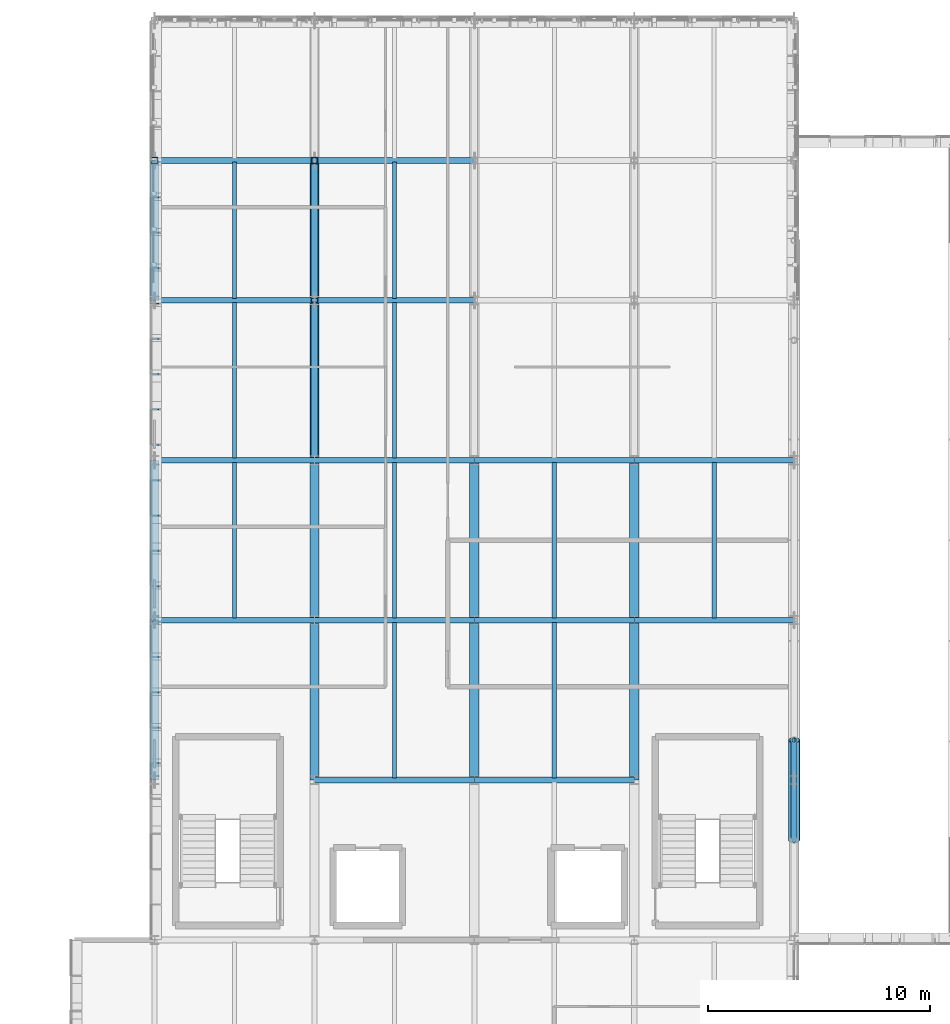
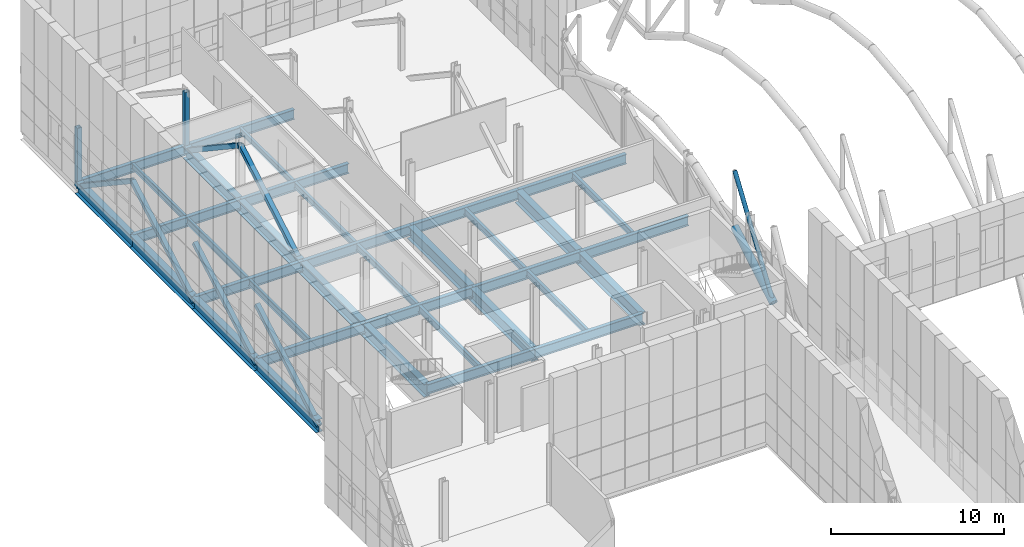
# One storey, part 29 of 144: 36 beams, 10 members.
"""IFC4 building model written with IfcOpenShell, lengths in metres."""

from ifc_helpers import new_model, si_unit, direction, frame, origin, origin_2d, place, context, subcontext, project, spatial, hollow_rectangle, hollow_circle, i_section, extrude, material, material_profile, profile_set, type_object, element, save


model = new_model("IFC4")

# Units and contexts
model_context = context("Model", 3, precision=1e-05, world=origin(), true_north=direction((0.0, 1.0)))
body_context = subcontext(model_context, "Body", "Model", "MODEL_VIEW")
ifc_project = project(units=[si_unit("LENGTHUNIT", "METRE"), si_unit("AREAUNIT", "SQUARE_METRE"), si_unit("VOLUMEUNIT", "CUBIC_METRE"), si_unit("PLANEANGLEUNIT", "RADIAN"), si_unit("MASSUNIT", "GRAM", prefix="KILO")], contexts=[model_context])

# Site, building, storey
site_placement = place(None, origin())
site = spatial("IfcSite", under=ifc_project, at=site_placement, CompositionType="ELEMENT")
building_placement = place(site_placement, origin())
building = spatial("IfcBuilding", under=site, at=building_placement, Name="Yarey Park Central Fire Station", CompositionType="ELEMENT")
storey_placement = place(building_placement, frame((0.0, 0.0, 10.199951171875)))
storey = spatial("IfcBuildingStorey", under=building, at=storey_placement, Name="L03", CompositionType="ELEMENT", Elevation=10.199951171875)

# Beams
ifc_material_1 = material(Name="Steel ASTM A992 Gr. 50", Category="steel")
ifc_material_profile_1 = material_profile(ifc_material_1, i_section(OverallWidth=0.256103515625, OverallDepth=0.693115234375, WebThickness=0.014404296875, FlangeThickness=0.023681640625, at=origin_2d()), Name="W690x170")
ifc_profile_set_1 = profile_set([ifc_material_profile_1], Name="Steel ASTM A992 Gr. 50")
beam_type_1 = type_object("IfcBeamType", Name="STR_BM_W690", PredefinedType="BEAM", material=ifc_profile_set_1)
for number, where, z_axis, x_axis, name in (
    (1, (28.800048828125, 92.699951171875, -0.6064453125), (1.0, 0.0, 0.0), (0.0, 1.0, 0.0), "CANT TIE L03 Y927 X28"),
    (2, (36.0, 92.699951171875, -0.6064453125), (1.0, 0.0, 0.0), (0.0, 1.0, 0.0), "CANT TIE L03 Y927 X36"),
    (3, (36.0, 64.800048828125, -0.6064453125), (1.0, 0.0, 0.0), (0.0, 1.0, 0.0), "BMX L03 Y648 X360"),
    (4, (43.199951171875, 64.800048828125, -0.6064453125), (1.0, 0.0, 0.0), (0.0, 1.0, 0.0), "BMX L03 Y648 X432"),
    (5, (28.800048828125, 72.0, -0.6064453125), (1.0, 0.0, 0.0), (0.0, 1.0, 0.0), "BMX L03 Y720 X288"),
    (6, (36.0, 72.0, -0.6064453125), (1.0, 0.0, 0.0), (0.0, 1.0, 0.0), "BMX L03 Y720 X360"),
    (7, (43.199951171875, 72.0, -0.6064453125), (1.0, 0.0, 0.0), (0.0, 1.0, 0.0), "BMX L03 Y720 X432"),
):
    element("IfcBeam", number, at=place(storey_placement, frame(where, z_axis=z_axis, x_axis=x_axis)), inside=storey, type_object=beam_type_1, Name=name, PredefinedType="BEAM", context=body_context, shape_type="SweptSolid", body=[
        extrude(i_section(OverallWidth=0.256103515625, OverallDepth=0.693115234375, WebThickness=0.014404296875, FlangeThickness=0.023681640625, at=origin_2d()), origin(), (0.0, 0.0, 1.0), 7.199951171875),
    ])
beam_1_placement = place(storey_placement, frame((50.39990234375, 72.0, -0.6064453125), z_axis=(1.0, 0.0, 0.0), x_axis=(0.0, 1.0, 0.0)))
element("IfcBeam", 8, at=beam_1_placement, inside=storey, type_object=beam_type_1, Name="BMX L03 Y720 X504", PredefinedType="BEAM", context=body_context, shape_type="SweptSolid", body=[
    extrude(i_section(OverallWidth=0.256103515625, OverallDepth=0.693115234375, WebThickness=0.014404296875, FlangeThickness=0.023681640625, at=origin_2d()), origin(), (0.0, 0.0, 1.0), 7.2001953125),
])
for number, where, z_axis, x_axis, name in (
    (9, (28.800048828125, 79.199951171875, -0.6064453125), (1.0, 0.0, 0.0), (0.0, 1.0, 0.0), "BMX L03 Y792 X288"),
    (10, (36.0, 79.199951171875, -0.6064453125), (1.0, 0.0, 0.0), (0.0, 1.0, 0.0), "BMX L03 Y792 X360"),
    (11, (43.199951171875, 79.199951171875, -0.6064453125), (1.0, 0.0, 0.0), (0.0, 1.0, 0.0), "BMX L03 Y792 X432"),
):
    element("IfcBeam", number, at=place(storey_placement, frame(where, z_axis=z_axis, x_axis=x_axis)), inside=storey, type_object=beam_type_1, Name=name, PredefinedType="BEAM", context=body_context, shape_type="SweptSolid", body=[
        extrude(i_section(OverallWidth=0.256103515625, OverallDepth=0.693115234375, WebThickness=0.014404296875, FlangeThickness=0.023681640625, at=origin_2d()), origin(), (0.0, 0.0, 1.0), 7.199951171875),
    ])
beam_2_placement = place(storey_placement, frame((50.39990234375, 79.199951171875, -0.6064453125), z_axis=(1.0, 0.0, 0.0), x_axis=(0.0, 1.0, 0.0)))
element("IfcBeam", 12, at=beam_2_placement, inside=storey, type_object=beam_type_1, Name="BMX L03 Y792 X504", PredefinedType="BEAM", context=body_context, shape_type="SweptSolid", body=[
    extrude(i_section(OverallWidth=0.256103515625, OverallDepth=0.693115234375, WebThickness=0.014404296875, FlangeThickness=0.023681640625, at=origin_2d()), origin(), (0.0, 0.0, 1.0), 7.2001953125),
])
for number, where, z_axis, x_axis, name in (
    (13, (28.800048828125, 86.39990234375, -0.6064453125), (1.0, 0.0, 0.0), (0.0, 1.0, 0.0), "BMX L03 Y864 X288"),
    (14, (36.0, 86.39990234375, -0.6064453125), (1.0, 0.0, 0.0), (0.0, 1.0, 0.0), "BMX L03 Y864 X360"),
):
    element("IfcBeam", number, at=place(storey_placement, frame(where, z_axis=z_axis, x_axis=x_axis)), inside=storey, type_object=beam_type_1, Name=name, PredefinedType="BEAM", context=body_context, shape_type="SweptSolid", body=[
        extrude(i_section(OverallWidth=0.256103515625, OverallDepth=0.693115234375, WebThickness=0.014404296875, FlangeThickness=0.023681640625, at=origin_2d()), origin(), (0.0, 0.0, 1.0), 7.199951171875),
    ])
ifc_material_profile_2 = material_profile(ifc_material_1, i_section(OverallWidth=0.41796875, OverallDepth=0.912109375, WebThickness=0.019287109375, FlangeThickness=0.031982421875, at=origin_2d()), Name="W920x342")
ifc_profile_set_2 = profile_set([ifc_material_profile_2], Name="Steel ASTM A992 Gr. 50")
beam_type_2 = type_object("IfcBeamType", Name="STR_BM_W920", PredefinedType="BEAM", material=ifc_profile_set_2)
for number, where, z_axis, x_axis, name in (
    (15, (36.0, 64.800048828125, -0.716064453125), (0.0, 1.0, 0.0), (-1.0, 0.0, 0.0), "Transfer Truss TT2 L03 CH2"),
    (16, (36.0, 72.0, -0.716064453125), (0.0, 1.0, 0.0), (-1.0, 0.0, 0.0), "Transfer Truss TT2 L03 CH3"),
    (17, (36.0, 79.199951171875, -0.716064453125), (0.0, 1.0, 0.0), (-1.0, 0.0, 0.0), "Transfer Truss TT2 L03 CH4"),
):
    element("IfcBeam", number, at=place(storey_placement, frame(where, z_axis=z_axis, x_axis=x_axis)), inside=storey, type_object=beam_type_2, Name=name, PredefinedType="BEAM", context=body_context, shape_type="SweptSolid", body=[
        extrude(i_section(OverallWidth=0.41796875, OverallDepth=0.912109375, WebThickness=0.019287109375, FlangeThickness=0.031982421875, at=origin_2d()), origin(), (0.0, 0.0, 1.0), 7.199951171875),
    ])
beam_3_placement = place(storey_placement, frame((36.0, 86.39990234375, -0.716064453125), z_axis=(0.0, 1.0, 0.0), x_axis=(-1.0, 0.0, 0.0)))
element("IfcBeam", 18, at=beam_3_placement, inside=storey, type_object=beam_type_2, Name="Transfer Truss TT2 L03 CH5", PredefinedType="BEAM", context=body_context, shape_type="SweptSolid", body=[
    extrude(i_section(OverallWidth=0.41796875, OverallDepth=0.912109375, WebThickness=0.019287109375, FlangeThickness=0.031982421875, at=origin_2d()), origin(), (0.0, 0.0, 1.0), 6.300048828125),
])
for number, where, z_axis, x_axis, name in (
    (19, (43.199951171875, 64.800048828125, -0.716064453125), (0.0, 1.0, 0.0), (-1.0, 0.0, 0.0), "Transfer Truss TT3 L03 CH2"),
    (20, (43.199951171875, 72.0, -0.716064453125), (0.0, 1.0, 0.0), (-1.0, 0.0, 0.0), "Transfer Truss TT3 L03 CH3"),
    (21, (50.39990234375, 64.800048828125, -0.716064453125), (0.0, 1.0, 0.0), (-1.0, 0.0, 0.0), "Transfer Truss TT4 L03 CH2"),
    (22, (50.39990234375, 72.0, -0.716064453125), (0.0, 1.0, 0.0), (-1.0, 0.0, 0.0), "Transfer Truss TT4 L03 CH3"),
):
    element("IfcBeam", number, at=place(storey_placement, frame(where, z_axis=z_axis, x_axis=x_axis)), inside=storey, type_object=beam_type_2, Name=name, PredefinedType="BEAM", context=body_context, shape_type="SweptSolid", body=[
        extrude(i_section(OverallWidth=0.41796875, OverallDepth=0.912109375, WebThickness=0.019287109375, FlangeThickness=0.031982421875, at=origin_2d()), origin(), (0.0, 0.0, 1.0), 7.199951171875),
    ])
ifc_material_profile_3 = material_profile(ifc_material_1, i_section(OverallWidth=0.41796875, OverallDepth=0.912109375, WebThickness=0.019287109375, FlangeThickness=0.031982421875, at=origin_2d()), Name="W920x342")
ifc_profile_set_3 = profile_set([ifc_material_profile_3], Name="Steel ASTM A992 Gr. 50")
beam_type_3 = type_object("IfcBeamType", Name="STR_BM_W920E", PredefinedType="BEAM", material=ifc_profile_set_3)
for number, where, z_axis, x_axis, name in (
    (23, (28.800048828125, 64.800048828125, -0.716064453125), (0.0, 1.0, 0.0), (-1.0, 0.0, 0.0), "Transfer Truss TT1 L03 CH2"),
    (24, (28.800048828125, 72.0, -0.716064453125), (0.0, 1.0, 0.0), (-1.0, 0.0, 0.0), "Transfer Truss TT1 L03 CH3"),
    (25, (28.800048828125, 79.199951171875, -0.716064453125), (0.0, 1.0, 0.0), (-1.0, 0.0, 0.0), "Transfer Truss TT1 L03 CH4"),
):
    element("IfcBeam", number, at=place(storey_placement, frame(where, z_axis=z_axis, x_axis=x_axis)), inside=storey, type_object=beam_type_3, Name=name, PredefinedType="BEAM", context=body_context, shape_type="SweptSolid", body=[
        extrude(i_section(OverallWidth=0.41796875, OverallDepth=0.912109375, WebThickness=0.019287109375, FlangeThickness=0.031982421875, at=origin_2d()), origin(), (0.0, 0.0, 1.0), 7.199951171875),
    ])
beam_4_placement = place(storey_placement, frame((28.800048828125, 86.39990234375, -0.716064453125), z_axis=(0.0, 1.0, 0.0), x_axis=(-1.0, 0.0, 0.0)))
element("IfcBeam", 26, at=beam_4_placement, inside=storey, type_object=beam_type_3, Name="Transfer Truss TT1 L03 CH5", PredefinedType="BEAM", context=body_context, shape_type="SweptSolid", body=[
    extrude(i_section(OverallWidth=0.41796875, OverallDepth=0.912109375, WebThickness=0.019287109375, FlangeThickness=0.031982421875, at=origin_2d()), origin(), (0.0, 0.0, 1.0), 6.300048828125),
])

# Member
ifc_material_2 = material(Name="Steel ASTM A500 Gr. C", Category="steel")
ifc_material_profile_4 = material_profile(ifc_material_2, hollow_circle(Radius=0.25390625, WallThickness=0.02001953125, at=origin_2d()), Name="CHS 508x20")
ifc_profile_set_4 = profile_set([ifc_material_profile_4], Name="Steel ASTM A500 Gr. C")
member_type_1 = type_object("IfcMemberType", Name="STR_CHORD_CHS508", PredefinedType="CHORD", material=ifc_profile_set_4)
member_1_placement = place(storey_placement, frame((57.60009765625, 62.10009765625, -0.481201171875), z_axis=(0.0, 0.8611645473, 0.508326295281), x_axis=(-1.0, 0.0, 0.0)))
element("IfcMember", 27, at=member_1_placement, inside=storey, type_object=member_type_1, Name="Arched Roof Truss ART_01 Bottom Chord 2", PredefinedType="CHORD", context=body_context, shape_type="SweptSolid", body=[
    extrude(hollow_circle(Radius=0.25390625, WallThickness=0.02001953125, at=origin_2d()), origin(), (0.0, 0.0, 1.0), 5.2255859375),
])

# Beams
ifc_material_profile_5 = material_profile(ifc_material_1, i_section(OverallWidth=0.177978515625, OverallDepth=0.406982421875, WebThickness=0.0078125, FlangeThickness=0.0126953125, at=origin_2d()), Name="W410x60")
ifc_profile_set_5 = profile_set([ifc_material_profile_5], Name="Steel ASTM A992 Gr. 50")
beam_type_4 = type_object("IfcBeamType", Name="STR_JST_W410", PredefinedType="JOIST", material=ifc_profile_set_5)
for number, where, z_axis, x_axis, name in (
    (28, (32.39990234375, 86.47998046875, -0.46337890625), (0.0, 1.0, 0.0), (-1.0, 0.0, 0.0), "CANT JST L03 X324 Y864"),
    (29, (39.60009765625, 86.47998046875, -0.46337890625), (0.0, 1.0, 0.0), (-1.0, 0.0, 0.0), "CANT JST L03 X396 Y864"),
):
    element("IfcBeam", number, at=place(storey_placement, frame(where, z_axis=z_axis, x_axis=x_axis)), inside=storey, type_object=beam_type_4, Name=name, PredefinedType="JOIST", context=body_context, shape_type="SweptSolid", body=[
        extrude(i_section(OverallWidth=0.177978515625, OverallDepth=0.406982421875, WebThickness=0.0078125, FlangeThickness=0.0126953125, at=origin_2d()), origin(), (0.0, 0.0, 1.0), 6.14013671875),
    ])
ifc_material_profile_6 = material_profile(ifc_material_1, i_section(OverallWidth=0.18994140625, OverallDepth=0.45703125, WebThickness=0.009033203125, FlangeThickness=0.014404296875, at=origin_2d()), Name="W460x74")
ifc_profile_set_6 = profile_set([ifc_material_profile_6], Name="Steel ASTM A992 Gr. 50")
beam_type_5 = type_object("IfcBeamType", Name="STR_JST_W460", PredefinedType="JOIST", material=ifc_profile_set_6)
for number, where, z_axis, x_axis, name in (
    (30, (32.39990234375, 72.094970703125, -0.488525390625), (0.0, 1.0, 0.0), (-1.0, 0.0, 0.0), "JST L03 X324 Y720"),
    (31, (32.39990234375, 79.294921875, -0.488525390625), (0.0, 1.0, 0.0), (-1.0, 0.0, 0.0), "JST L03 X324 Y792"),
    (32, (39.60009765625, 64.89501953125, -0.488525390625), (0.0, 1.0, 0.0), (-1.0, 0.0, 0.0), "JST L03 X396 Y648"),
    (33, (39.60009765625, 72.094970703125, -0.488525390625), (0.0, 1.0, 0.0), (-1.0, 0.0, 0.0), "JST L03 X396 Y720"),
    (34, (39.60009765625, 79.294921875, -0.488525390625), (0.0, 1.0, 0.0), (-1.0, 0.0, 0.0), "JST L03 X396 Y792"),
    (35, (46.800048828125, 64.89501953125, -0.488525390625), (0.0, 1.0, 0.0), (-1.0, 0.0, 0.0), "JST L03 X468 Y648"),
    (36, (46.800048828125, 72.094970703125, -0.488525390625), (0.0, 1.0, 0.0), (-1.0, 0.0, 0.0), "JST L03 X468 Y720"),
    (37, (54.0, 72.094970703125, -0.488525390625), (0.0, 1.0, 0.0), (-1.0, 0.0, 0.0), "JST L03 X540 Y720"),
):
    element("IfcBeam", number, at=place(storey_placement, frame(where, z_axis=z_axis, x_axis=x_axis)), inside=storey, type_object=beam_type_5, Name=name, PredefinedType="JOIST", context=body_context, shape_type="SweptSolid", body=[
        extrude(i_section(OverallWidth=0.18994140625, OverallDepth=0.45703125, WebThickness=0.009033203125, FlangeThickness=0.014404296875, at=origin_2d()), origin(), (0.0, 0.0, 1.0), 7.010009765625),
    ])

# Members
ifc_material_profile_7 = material_profile(ifc_material_2, hollow_rectangle(XDim=0.300048828125, YDim=0.300048828125, WallThickness=0.01611328125, at=origin_2d()), Name="HSS 300x300x16")
ifc_profile_set_7 = profile_set([ifc_material_profile_7], Name="Steel ASTM A500 Gr. C")
member_type_2 = type_object("IfcMemberType", Name="STR_PRATT_HSS300", PredefinedType="BRACE", material=ifc_profile_set_7)
member_2_placement = place(storey_placement, frame((36.0, 79.199951171875, -0.699951171875), z_axis=(0.0, 0.863779963214, 0.503869204407), x_axis=(-1.0, 0.0, 0.0)))
element("IfcMember", 38, at=member_2_placement, inside=storey, type_object=member_type_2, Name="TT2_L03_DIAG4", PredefinedType="BRACE", context=body_context, shape_type="SweptSolid", body=[
    extrude(hollow_rectangle(XDim=0.300048828125, YDim=0.300048828125, WallThickness=0.01611328125, at=origin_2d()), origin(), (0.0, 0.0, 1.0), 8.33544921875),
])
member_3_placement = place(storey_placement, frame((36.0, 86.39990234375, 3.5), z_axis=(0.0, 0.832055254913, -0.55469275529), x_axis=(-1.0, 0.0, 0.0)))
element("IfcMember", 39, at=member_3_placement, inside=storey, type_object=member_type_2, Name="TT2_L03_DIAG5", PredefinedType="BRACE", context=body_context, shape_type="SweptSolid", body=[
    extrude(hollow_rectangle(XDim=0.300048828125, YDim=0.300048828125, WallThickness=0.01611328125, at=origin_2d()), origin(), (0.0, 0.0, 1.0), 7.57177734375),
])
member_4_placement = place(storey_placement, frame((36.0, 92.699951171875, -0.699951171875), z_axis=(0.0, 0.0, 1.0), x_axis=(1.0, 0.0, 0.0)))
element("IfcMember", 40, at=member_4_placement, inside=storey, type_object=member_type_2, Name="TT2_L03_POST_927", PredefinedType="BRACE", context=body_context, shape_type="SweptSolid", body=[
    extrude(hollow_rectangle(XDim=0.300048828125, YDim=0.300048828125, WallThickness=0.01611328125, at=origin_2d()), origin(), (0.0, 0.0, 1.0), 4.199951171875),
])
ifc_material_profile_8 = material_profile(ifc_material_2, hollow_rectangle(XDim=0.300048828125, YDim=0.300048828125, WallThickness=0.01611328125, at=origin_2d()), Name="HSS 300x300x16")
ifc_profile_set_8 = profile_set([ifc_material_profile_8], Name="Steel ASTM A500 Gr. C")
member_type_3 = type_object("IfcMemberType", Name="STR_PRATT_HSS300E", PredefinedType="BRACE", material=ifc_profile_set_8)
for number, where, z_axis, x_axis, name in (
    (41, (28.800048828125, 64.800048828125, -0.699951171875), (0.0, 0.863779963214, 0.503869204407), (-1.0, 0.0, 0.0), "TT1_L03_DIAG2"),
    (42, (28.800048828125, 72.0, -0.699951171875), (0.0, 0.863779963214, 0.503869204407), (-1.0, 0.0, 0.0), "TT1_L03_DIAG3"),
    (43, (28.800048828125, 79.199951171875, -0.699951171875), (0.0, 0.863779963214, 0.503869204407), (-1.0, 0.0, 0.0), "TT1_L03_DIAG4"),
):
    element("IfcMember", number, at=place(storey_placement, frame(where, z_axis=z_axis, x_axis=x_axis)), inside=storey, type_object=member_type_3, Name=name, PredefinedType="BRACE", context=body_context, shape_type="SweptSolid", body=[
        extrude(hollow_rectangle(XDim=0.300048828125, YDim=0.300048828125, WallThickness=0.01611328125, at=origin_2d()), origin(), (0.0, 0.0, 1.0), 8.33544921875),
    ])
member_5_placement = place(storey_placement, frame((28.800048828125, 86.39990234375, 3.5), z_axis=(0.0, 0.832055254913, -0.55469275529), x_axis=(-1.0, 0.0, 0.0)))
element("IfcMember", 44, at=member_5_placement, inside=storey, type_object=member_type_3, Name="TT1_L03_DIAG5", PredefinedType="BRACE", context=body_context, shape_type="SweptSolid", body=[
    extrude(hollow_rectangle(XDim=0.300048828125, YDim=0.300048828125, WallThickness=0.01611328125, at=origin_2d()), origin(), (0.0, 0.0, 1.0), 7.57177734375),
])
member_6_placement = place(storey_placement, frame((28.800048828125, 92.699951171875, -0.699951171875), z_axis=(0.0, 0.0, 1.0), x_axis=(1.0, 0.0, 0.0)))
element("IfcMember", 45, at=member_6_placement, inside=storey, type_object=member_type_3, Name="TT1_L03_POST_927", PredefinedType="BRACE", context=body_context, shape_type="SweptSolid", body=[
    extrude(hollow_rectangle(XDim=0.300048828125, YDim=0.300048828125, WallThickness=0.01611328125, at=origin_2d()), origin(), (0.0, 0.0, 1.0), 4.199951171875),
])
ifc_material_profile_9 = material_profile(ifc_material_2, hollow_circle(Radius=0.136474609375, WallThickness=0.012451171875, at=origin_2d()), Name="CHS 273x12.5")
ifc_profile_set_9 = profile_set([ifc_material_profile_9], Name="Steel ASTM A500 Gr. C")
member_type_4 = type_object("IfcMemberType", Name="STR_WEB_CHS273", PredefinedType="BRACE", material=ifc_profile_set_9)
member_7_placement = place(storey_placement, frame((57.60009765625, 62.10009765625, -0.481201171875), z_axis=(0.0, 0.562095632178, 0.82707224611), x_axis=(-1.0, 0.0, 0.0)))
element("IfcMember", 46, at=member_7_placement, inside=storey, type_object=member_type_4, Name="Arched Roof Truss ART_01 Diagonal 2", PredefinedType="BRACE", context=body_context, shape_type="SweptSolid", body=[
    extrude(hollow_circle(Radius=0.136474609375, WallThickness=0.012451171875, at=origin_2d()), origin(), (0.0, 0.0, 1.0), 8.005859375),
])

save(model, "model.ifc")
